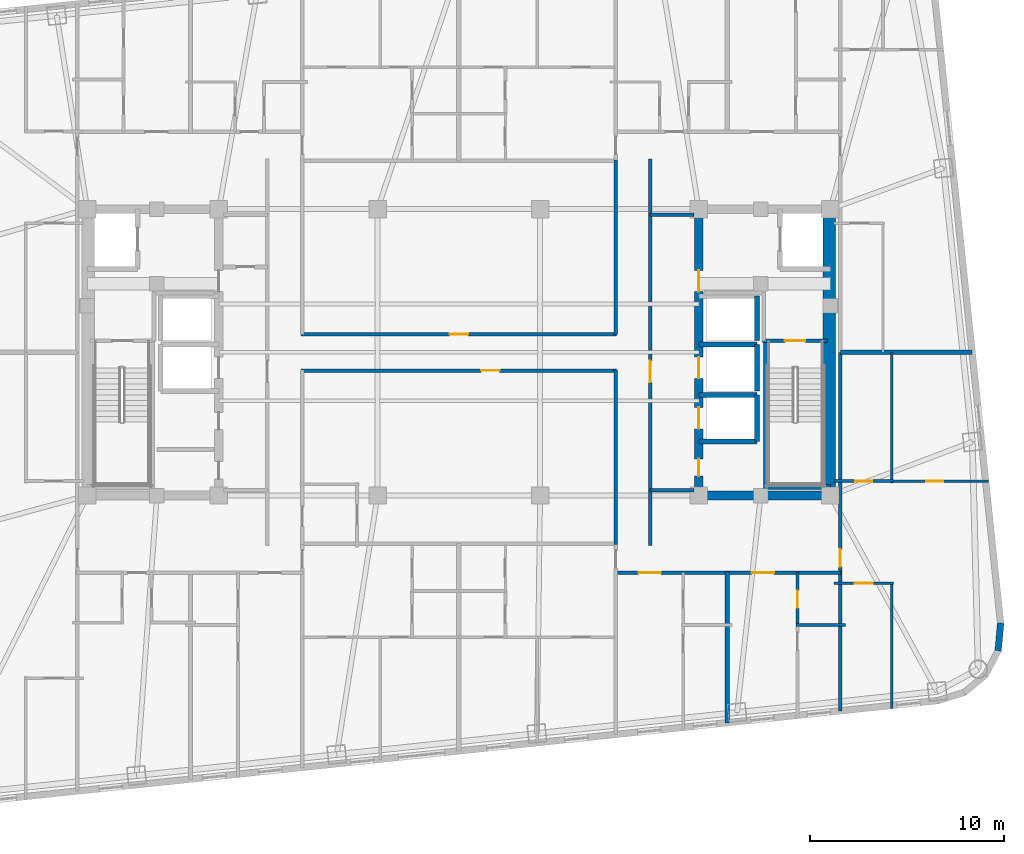
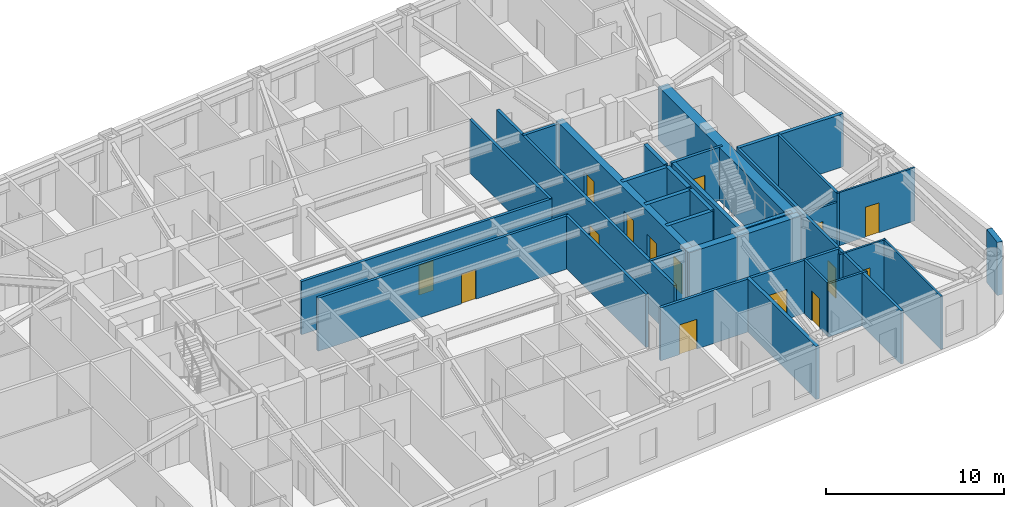
# One storey, part 6 of 12: 31 walls, 15 doors, 15 openings.
"""IFC4 building model written with IfcOpenShell, lengths in metres."""

from ifc_helpers import new_model, si_unit, direction, frame, frame_2d, origin, place, context, subcontext, project, spatial, rectangle, extrude, material, layer, layer_set, type_object, element, fill, save


model = new_model("IFC4")

# Units and contexts
model_context = context("Model", 3, precision=1e-05, world=origin(), true_north=direction((0.0, 1.0)))
body_context = subcontext(model_context, "Body", "Model", "MODEL_VIEW")
ifc_project = project(units=[si_unit("LENGTHUNIT", "METRE"), si_unit("AREAUNIT", "SQUARE_METRE"), si_unit("VOLUMEUNIT", "CUBIC_METRE"), si_unit("PLANEANGLEUNIT", "RADIAN"), si_unit("MASSUNIT", "GRAM", prefix="KILO")], contexts=[model_context])

# Site, building, storey
site_placement = place(None, origin())
site = spatial("IfcSite", under=ifc_project, at=site_placement, CompositionType="ELEMENT")
building_placement = place(site_placement, origin())
building = spatial("IfcBuilding", under=site, at=building_placement, Name="Voryun Gate Residences", CompositionType="ELEMENT")
storey_placement = place(building_placement, frame((0.0, 0.0, 152.10009765625)))
storey = spatial("IfcBuildingStorey", under=building, at=storey_placement, Name="L37", CompositionType="ELEMENT", Elevation=152.10009765625)

# Wall
ifc_material_1 = material(Name="Concrete C50/60", Category="concrete")
ifc_layer_1 = layer(ifc_material_1, 0.449951171875, Name="CW_CORE_450")
ifc_layer_set_1 = layer_set([ifc_layer_1], Name="Concrete C50/60")
wall_type_1 = type_object("IfcWallType", Name="CW_CORE_450", PredefinedType="SHEAR", material=ifc_layer_set_1)
wall_1_placement = place(storey_placement, frame((12.175048828125, -7.39990234375, 0.0), z_axis=(0.0, 0.0, 1.0), x_axis=(1.0, 0.0, 0.0)))
element("IfcWall", 1, at=wall_1_placement, inside=storey, type_object=wall_type_1, Name="L37 Core shear wall CW-L37-ES", PredefinedType="SHEAR", context=body_context, shape_type="SweptSolid", body=[
    extrude(rectangle(XDim=7.25, YDim=0.449951171875, at=frame_2d((3.625, 0.0))), origin(), (0.0, 0.0, 1.0), 3.64990234375),
])

# Wall, openings, doors
wall_2_placement = place(storey_placement, frame((12.39990234375, -7.39990234375, 0.0), z_axis=(0.0, 0.0, 1.0), x_axis=(0.0, 1.0, 0.0)))
wall_2 = element("IfcWall", 2, at=wall_2_placement, inside=storey, type_object=wall_type_1, Name="L37 Core shear wall CW-L37-EW", PredefinedType="SHEAR", context=body_context, shape_type="SweptSolid", body=[
    extrude(rectangle(XDim=14.7998046875, YDim=0.449951171875, at=frame_2d((7.39990234375, 0.0))), origin(), (0.0, 0.0, 1.0), 3.64990234375),
])
opening_1_placement = place(wall_2_placement, frame((3.449951171875, 0.0, 0.0)))
opening_1 = element("IfcOpeningElement", 3, at=opening_1_placement, cuts=wall_2, Name="Opening LD2", PredefinedType="OPENING", context=body_context, shape_type="SweptSolid", body=[
    extrude(rectangle(XDim=1.10009765625, YDim=2.050048828125, at=frame_2d((0.550048828125, 1.02490234375))), frame((0.0, 0.235107421875, 0.0), z_axis=(0.0, -1.0, 0.0), x_axis=(1.0, 0.0, 0.0)), (0.0, 0.0, 1.0), 0.469970703125),
])
opening_2_placement = place(wall_2_placement, frame((6.050048828125, 0.0, 0.0)))
opening_2 = element("IfcOpeningElement", 4, at=opening_2_placement, cuts=wall_2, Name="Opening LD2", PredefinedType="OPENING", context=body_context, shape_type="SweptSolid", body=[
    extrude(rectangle(XDim=1.10009765625, YDim=2.050048828125, at=frame_2d((0.550048828125, 1.02490234375))), frame((0.0, 0.235107421875, 0.0), z_axis=(0.0, -1.0, 0.0), x_axis=(1.0, 0.0, 0.0)), (0.0, 0.0, 1.0), 0.469970703125),
])
opening_3_placement = place(wall_2_placement, frame((10.530029296875, 0.0, 0.0)))
opening_3 = element("IfcOpeningElement", 5, at=opening_3_placement, cuts=wall_2, Name="Opening D-FD60-2", PredefinedType="OPENING", context=body_context, shape_type="SweptSolid", body=[
    extrude(rectangle(XDim=1.10009765625, YDim=2.050048828125, at=frame_2d((0.550048828125, 1.02490234375))), frame((0.0, 0.235107421875, 0.0), z_axis=(0.0, -1.0, 0.0), x_axis=(1.0, 0.0, 0.0)), (0.0, 0.0, 1.0), 0.469970703125),
])
opening_4_placement = place(wall_2_placement, frame((1.0, 0.0, 0.0)))
opening_4 = element("IfcOpeningElement", 6, at=opening_4_placement, cuts=wall_2, Name="Opening D-FD60-4", PredefinedType="OPENING", context=body_context, shape_type="SweptSolid", body=[
    extrude(rectangle(XDim=0.89990234375, YDim=2.050048828125, at=frame_2d((0.449951171875, 1.02490234375))), frame((0.0, 0.235107421875, 0.0), z_axis=(0.0, -1.0, 0.0), x_axis=(1.0, 0.0, 0.0)), (0.0, 0.0, 1.0), 0.469970703125),
])
ifc_material_2 = material(Name="Painted steel fire door", Category="steel")
door_type_1 = type_object("IfcDoorType", Name="DR_FD60_FFLOB_1100", OperationType="NOTDEFINED", PredefinedType="DOOR", material=ifc_material_2)
door_1_placement = place(opening_3_placement, origin())
door_1 = element("IfcDoor", 7, at=door_1_placement, inside=storey, type_object=door_type_1, Name="Door DR-L37-CLOB-E", OperationType="SINGLE_SWING_RIGHT", OverallHeight=2.050048828125, OverallWidth=1.10009765625, PredefinedType="DOOR", context=body_context, shape_type="SweptSolid", body=[
    extrude(rectangle(XDim=1.10009765625, YDim=2.050048828125, at=frame_2d((0.550048828125, 1.02490234375))), frame((0.0, 0.02490234375, 0.0), z_axis=(0.0, -1.0, 0.0), x_axis=(1.0, 0.0, 0.0)), (0.0, 0.0, 1.0), 0.050048828125),
])
fill(opening_3, door_1)
ifc_material_3 = material(Name="Painted steel fire door", Category="steel")
door_type_2 = type_object("IfcDoorType", Name="DR_FD60_RISER_900", OperationType="NOTDEFINED", PredefinedType="DOOR", material=ifc_material_3)
door_2_placement = place(opening_4_placement, origin())
door_2 = element("IfcDoor", 8, at=door_2_placement, inside=storey, type_object=door_type_2, Name="Door DR-L37-RECE1", OperationType="SINGLE_SWING_RIGHT", OverallHeight=2.050048828125, OverallWidth=0.89990234375, PredefinedType="DOOR", context=body_context, shape_type="SweptSolid", body=[
    extrude(rectangle(XDim=0.89990234375, YDim=2.050048828125, at=frame_2d((0.449951171875, 1.02490234375))), frame((0.0, 0.02490234375, 0.0), z_axis=(0.0, -1.0, 0.0), x_axis=(1.0, 0.0, 0.0)), (0.0, 0.0, 1.0), 0.050048828125),
])
fill(opening_4, door_2)
ifc_material_4 = material(Name="Anodised aluminium", Category="aluminium")
door_type_3 = type_object("IfcDoorType", Name="DR_LD_PASS_1100", OperationType="NOTDEFINED", PredefinedType="DOOR", material=ifc_material_4)
door_3_placement = place(opening_1_placement, origin())
door_3 = element("IfcDoor", 9, at=door_3_placement, inside=storey, type_object=door_type_3, Name="Lift EL-P5 sliding landing door L37", OperationType="SLIDING_TO_LEFT", OverallHeight=2.050048828125, OverallWidth=1.10009765625, PredefinedType="DOOR", context=body_context, shape_type="SweptSolid", body=[
    extrude(rectangle(XDim=1.10009765625, YDim=2.050048828125, at=frame_2d((0.550048828125, 1.02490234375))), frame((0.0, 0.02490234375, 0.0), z_axis=(0.0, -1.0, 0.0), x_axis=(1.0, 0.0, 0.0)), (0.0, 0.0, 1.0), 0.050048828125),
])
fill(opening_1, door_3)
door_4_placement = place(opening_2_placement, origin())
door_4 = element("IfcDoor", 10, at=door_4_placement, inside=storey, type_object=door_type_3, Name="Lift EL-P6 sliding landing door L37", OperationType="SLIDING_TO_LEFT", OverallHeight=2.050048828125, OverallWidth=1.10009765625, PredefinedType="DOOR", context=body_context, shape_type="SweptSolid", body=[
    extrude(rectangle(XDim=1.10009765625, YDim=2.050048828125, at=frame_2d((0.550048828125, 1.02490234375))), frame((0.0, 0.02490234375, 0.0), z_axis=(0.0, -1.0, 0.0), x_axis=(1.0, 0.0, 0.0)), (0.0, 0.0, 1.0), 0.050048828125),
])
fill(opening_2, door_4)

# Wall
ifc_material_5 = material(Name="Concrete C60/75", Category="concrete")
ifc_layer_2 = layer(ifc_material_5, 0.64990234375, Name="CW_CORE_650")
ifc_layer_set_2 = layer_set([ifc_layer_2], Name="Concrete C60/75")
wall_type_2 = type_object("IfcWallType", Name="CW_CORE_650", PredefinedType="SHEAR", material=ifc_layer_set_2)
wall_3_placement = place(storey_placement, frame((19.14501953125, -7.39990234375, 0.0), z_axis=(0.0, 0.0, 1.0), x_axis=(0.0, 1.0, 0.0)))
element("IfcWall", 11, at=wall_3_placement, inside=storey, type_object=wall_type_2, Name="L37 Core shear wall CW-L37-EE", PredefinedType="SHEAR", context=body_context, shape_type="SweptSolid", body=[
    extrude(rectangle(XDim=14.7998046875, YDim=0.64990234375, at=frame_2d((7.39990234375, 0.0))), origin(), (0.0, 0.0, 1.0), 3.64990234375),
])

# Wall, opening, door
ifc_material_6 = material(Name="Gypsum acoustic fireboard")
ifc_layer_3 = layer(ifc_material_6, 0.179931640625, Name="W_CORR_RATED_180")
ifc_layer_set_3 = layer_set([ifc_layer_3], Name="Gypsum acoustic fireboard")
wall_type_3 = type_object("IfcWallType", Name="W_CORR_RATED_180", PredefinedType="PARTITIONING", material=ifc_layer_set_3)
wall_4_placement = place(storey_placement, frame((15.699951171875, 0.60009765625, 0.0), z_axis=(0.0, 0.0, 1.0), x_axis=(1.0, 0.0, 0.0)))
wall_4 = element("IfcWall", 12, at=wall_4_placement, inside=storey, type_object=wall_type_3, Name="Partition wall WP-L37-STV-E", PredefinedType="PARTITIONING", context=body_context, shape_type="SweptSolid", body=[
    extrude(rectangle(XDim=3.360107421875, YDim=0.179931640625, at=frame_2d((1.68017578125, 0.0))), origin(), (0.0, 0.0, 1.0), 3.64990234375),
])
opening_5_placement = place(wall_4_placement, frame((1.155029296875, 0.0, 0.0)))
opening_5 = element("IfcOpeningElement", 13, at=opening_5_placement, cuts=wall_4, Name="Opening D-FD60-1", PredefinedType="OPENING", context=body_context, shape_type="SweptSolid", body=[
    extrude(rectangle(XDim=1.050048828125, YDim=2.050048828125, at=frame_2d((0.52490234375, 1.02490234375))), frame((0.0, 0.099853515625, 0.0), z_axis=(0.0, -1.0, 0.0), x_axis=(1.0, 0.0, 0.0)), (0.0, 0.0, 1.0), 0.199951171875),
])
ifc_material_7 = material(Name="Painted steel fire door", Category="steel")
door_type_4 = type_object("IfcDoorType", Name="DR_FD60_STAIR_1050", OperationType="NOTDEFINED", PredefinedType="DOOR", material=ifc_material_7)
door_5_placement = place(opening_5_placement, origin())
door_5 = element("IfcDoor", 14, at=door_5_placement, inside=storey, type_object=door_type_4, Name="Door DR-L37-ST-E", OperationType="SINGLE_SWING_RIGHT", OverallHeight=2.050048828125, OverallWidth=1.050048828125, PredefinedType="DOOR", context=body_context, shape_type="SweptSolid", body=[
    extrude(rectangle(XDim=1.050048828125, YDim=2.050048828125, at=frame_2d((0.52490234375, 1.02490234375))), frame((0.0, 0.02490234375, 0.0), z_axis=(0.0, -1.0, 0.0), x_axis=(1.0, 0.0, 0.0)), (0.0, 0.0, 1.0), 0.050048828125),
])
fill(opening_5, door_5)

# Walls
for number, where, z_axis, x_axis, name in (
    (15, (9.8798828125, 7.1201171875, 0.0), (0.0, 0.0, 1.0), (1.0, 0.0, 0.0), "Partition wall WP-L37-PLBN-E"),
    (16, (9.8798828125, -7.1201171875, 0.0), (0.0, 0.0, 1.0), (1.0, 0.0, 0.0), "Partition wall WP-L37-PLBS-E"),
):
    element("IfcWall", number, at=place(storey_placement, frame(where, z_axis=z_axis, x_axis=x_axis)), inside=storey, type_object=wall_type_3, Name=name, PredefinedType="PARTITIONING", context=body_context, shape_type="SweptSolid", body=[
        extrude(rectangle(XDim=2.27001953125, YDim=0.179931640625, at=frame_2d((1.135009765625, 0.0))), origin(), (0.0, 0.0, 1.0), 3.64990234375),
    ])

# Wall, opening, door
wall_5_placement = place(storey_placement, frame((9.89990234375, -9.97998046875, 0.0), z_axis=(0.0, 0.0, 1.0), x_axis=(0.0, 1.0, 0.0)))
wall_5 = element("IfcWall", 17, at=wall_5_placement, inside=storey, type_object=wall_type_3, Name="Partition wall WP-L37-PLBE-FULL", PredefinedType="PARTITIONING", context=body_context, shape_type="SweptSolid", body=[
    extrude(rectangle(XDim=19.9599609375, YDim=0.179931640625, at=frame_2d((9.97998046875, 0.0))), origin(), (0.0, 0.0, 1.0), 3.64990234375),
])
opening_6_placement = place(wall_5_placement, frame((8.431884765625, 0.0, 0.0)))
opening_6 = element("IfcOpeningElement", 18, at=opening_6_placement, cuts=wall_5, Name="Opening D-FD60-2", PredefinedType="OPENING", context=body_context, shape_type="SweptSolid", body=[
    extrude(rectangle(XDim=1.10009765625, YDim=2.050048828125, at=frame_2d((0.550048828125, 1.02490234375))), frame((0.0, 0.099853515625, 0.0), z_axis=(0.0, -1.0, 0.0), x_axis=(1.0, 0.0, 0.0)), (0.0, 0.0, 1.0), 0.199951171875),
])
door_6_placement = place(opening_6_placement, origin())
door_6 = element("IfcDoor", 19, at=door_6_placement, inside=storey, type_object=door_type_1, Name="Door DR-L37-PLBE-COR", OperationType="SINGLE_SWING_RIGHT", OverallHeight=2.050048828125, OverallWidth=1.10009765625, PredefinedType="DOOR", context=body_context, shape_type="SweptSolid", body=[
    extrude(rectangle(XDim=1.10009765625, YDim=2.050048828125, at=frame_2d((0.550048828125, 1.02490234375))), frame((0.0, 0.02490234375, 0.0), z_axis=(0.0, -1.0, 0.0), x_axis=(1.0, 0.0, 0.0)), (0.0, 0.0, 1.0), 0.050048828125),
])
fill(opening_6, door_6)

wall_6_placement = place(storey_placement, frame((-8.14990234375, 0.93994140625, 0.0), z_axis=(0.0, 0.0, 1.0), x_axis=(1.0, 0.0, 0.0)))
wall_6 = element("IfcWall", 20, at=wall_6_placement, inside=storey, type_object=wall_type_3, Name="Partition wall WP-L37-Z2HN", PredefinedType="PARTITIONING", context=body_context, shape_type="SweptSolid", body=[
    extrude(rectangle(XDim=16.2998046875, YDim=0.179931640625, at=frame_2d((8.14990234375, 0.0))), origin(), (0.0, 0.0, 1.0), 3.64990234375),
])
opening_7_placement = place(wall_6_placement, frame((7.675048828125, 0.0, 0.0)))
opening_7 = element("IfcOpeningElement", 21, at=opening_7_placement, cuts=wall_6, Name="Opening D-INT-1", PredefinedType="OPENING", context=body_context, shape_type="SweptSolid", body=[
    extrude(rectangle(XDim=0.949951171875, YDim=2.050048828125, at=frame_2d((0.47509765625, 1.02490234375))), frame((0.0, 0.099853515625, 0.0), z_axis=(0.0, -1.0, 0.0), x_axis=(1.0, 0.0, 0.0)), (0.0, 0.0, 1.0), 0.199951171875),
])
ifc_material_8 = material(Name="Architectural oak veneer")
door_type_5 = type_object("IfcDoorType", Name="DR_INT_ROOM_950", OperationType="NOTDEFINED", PredefinedType="DOOR", material=ifc_material_8)
door_7_placement = place(opening_7_placement, origin())
door_7 = element("IfcDoor", 22, at=door_7_placement, inside=storey, type_object=door_type_5, Name="Door DR-L37-Z2NH", OperationType="SINGLE_SWING_LEFT", OverallHeight=2.050048828125, OverallWidth=0.949951171875, PredefinedType="DOOR", context=body_context, shape_type="SweptSolid", body=[
    extrude(rectangle(XDim=0.949951171875, YDim=2.050048828125, at=frame_2d((0.47509765625, 1.02490234375))), frame((0.0, 0.02490234375, 0.0), z_axis=(0.0, -1.0, 0.0), x_axis=(1.0, 0.0, 0.0)), (0.0, 0.0, 1.0), 0.050048828125),
])
fill(opening_7, door_7)

wall_7_placement = place(storey_placement, frame((-8.14990234375, -0.93994140625, 0.0), z_axis=(0.0, 0.0, 1.0), x_axis=(1.0, 0.0, 0.0)))
wall_7 = element("IfcWall", 23, at=wall_7_placement, inside=storey, type_object=wall_type_3, Name="Partition wall WP-L37-Z2HS", PredefinedType="PARTITIONING", context=body_context, shape_type="SweptSolid", body=[
    extrude(rectangle(XDim=16.2998046875, YDim=0.179931640625, at=frame_2d((8.14990234375, 0.0))), origin(), (0.0, 0.0, 1.0), 3.64990234375),
])
opening_8_placement = place(wall_7_placement, frame((9.304931640625, 0.0, 0.0)))
opening_8 = element("IfcOpeningElement", 24, at=opening_8_placement, cuts=wall_7, Name="Opening D-INT-1", PredefinedType="OPENING", context=body_context, shape_type="SweptSolid", body=[
    extrude(rectangle(XDim=0.949951171875, YDim=2.050048828125, at=frame_2d((0.47509765625, 1.02490234375))), frame((0.0, 0.099853515625, 0.0), z_axis=(0.0, -1.0, 0.0), x_axis=(1.0, 0.0, 0.0)), (0.0, 0.0, 1.0), 0.199951171875),
])
door_8_placement = place(opening_8_placement, origin())
door_8 = element("IfcDoor", 25, at=door_8_placement, inside=storey, type_object=door_type_5, Name="Door DR-L37-Z2SH", OperationType="SINGLE_SWING_RIGHT", OverallHeight=2.050048828125, OverallWidth=0.949951171875, PredefinedType="DOOR", context=body_context, shape_type="SweptSolid", body=[
    extrude(rectangle(XDim=0.949951171875, YDim=2.050048828125, at=frame_2d((0.47509765625, 1.02490234375))), frame((0.0, 0.02490234375, 0.0), z_axis=(0.0, -1.0, 0.0), x_axis=(1.0, 0.0, 0.0)), (0.0, 0.0, 1.0), 0.050048828125),
])
fill(opening_8, door_8)

# Walls
for number, where, z_axis, x_axis, name in (
    (26, (8.10009765625, 0.919921875, 0.0), (0.0, 0.0, 1.0), (0.0, 1.0, 0.0), "Partition wall WP-L37-Z2ER1"),
    (27, (8.10009765625, -9.929931640625, 0.0), (0.0, 0.0, 1.0), (0.0, 1.0, 0.0), "Partition wall WP-L37-Z2ER2"),
):
    element("IfcWall", number, at=place(storey_placement, frame(where, z_axis=z_axis, x_axis=x_axis)), inside=storey, type_object=wall_type_3, Name=name, PredefinedType="PARTITIONING", context=body_context, shape_type="SweptSolid", body=[
        extrude(rectangle(XDim=9.010009765625, YDim=0.179931640625, at=frame_2d((4.5048828125, 0.0))), origin(), (0.0, 0.0, 1.0), 3.64990234375),
    ])

# Wall, openings, doors
wall_8_placement = place(storey_placement, frame((8.080078125, -11.39990234375, 0.0), z_axis=(0.0, 0.0, 1.0), x_axis=(1.0, 0.0, 0.0)))
wall_8 = element("IfcWall", 28, at=wall_8_placement, inside=storey, type_object=wall_type_3, Name="Partition wall WP-L37-SCORR-E", PredefinedType="PARTITIONING", context=body_context, shape_type="SweptSolid", body=[
    extrude(rectangle(XDim=11.669921875, YDim=0.179931640625, at=frame_2d((5.8349609375, 0.0))), origin(), (0.0, 0.0, 1.0), 3.64990234375),
])
opening_9_placement = place(wall_8_placement, frame((1.212890625, 0.0, 0.0)))
opening_9 = element("IfcOpeningElement", 29, at=opening_9_placement, cuts=wall_8, Name="Opening D-UNIT-1", PredefinedType="OPENING", context=body_context, shape_type="SweptSolid", body=[
    extrude(rectangle(XDim=1.14990234375, YDim=2.050048828125, at=frame_2d((0.574951171875, 1.02490234375))), frame((0.0, 0.099853515625, 0.0), z_axis=(0.0, -1.0, 0.0), x_axis=(1.0, 0.0, 0.0)), (0.0, 0.0, 1.0), 0.199951171875),
])
opening_10_placement = place(wall_8_placement, frame((7.05712890625, 0.0, 0.0)))
opening_10 = element("IfcOpeningElement", 30, at=opening_10_placement, cuts=wall_8, Name="Opening D-UNIT-1", PredefinedType="OPENING", context=body_context, shape_type="SweptSolid", body=[
    extrude(rectangle(XDim=1.14990234375, YDim=2.050048828125, at=frame_2d((0.574951171875, 1.02490234375))), frame((0.0, 0.099853515625, 0.0), z_axis=(0.0, -1.0, 0.0), x_axis=(1.0, 0.0, 0.0)), (0.0, 0.0, 1.0), 0.199951171875),
])
ifc_material_9 = material(Name="Armoured timber-clad fire door", Category="wood")
door_type_6 = type_object("IfcDoorType", Name="DR_UNIT_ENTRY_1150", OperationType="NOTDEFINED", PredefinedType="DOOR", material=ifc_material_9)
door_9_placement = place(opening_9_placement, origin())
door_9 = element("IfcDoor", 31, at=door_9_placement, inside=storey, type_object=door_type_6, Name="Door DR-L37-SENT-4", OperationType="SINGLE_SWING_LEFT", OverallHeight=2.050048828125, OverallWidth=1.14990234375, PredefinedType="DOOR", context=body_context, shape_type="SweptSolid", body=[
    extrude(rectangle(XDim=1.14990234375, YDim=2.050048828125, at=frame_2d((0.574951171875, 1.02490234375))), frame((0.0, 0.02490234375, 0.0), z_axis=(0.0, -1.0, 0.0), x_axis=(1.0, 0.0, 0.0)), (0.0, 0.0, 1.0), 0.050048828125),
])
fill(opening_9, door_9)
door_10_placement = place(opening_10_placement, origin())
door_10 = element("IfcDoor", 32, at=door_10_placement, inside=storey, type_object=door_type_6, Name="Door DR-L37-SENT-5", OperationType="SINGLE_SWING_RIGHT", OverallHeight=2.050048828125, OverallWidth=1.14990234375, PredefinedType="DOOR", context=body_context, shape_type="SweptSolid", body=[
    extrude(rectangle(XDim=1.14990234375, YDim=2.050048828125, at=frame_2d((0.574951171875, 1.02490234375))), frame((0.0, 0.02490234375, 0.0), z_axis=(0.0, -1.0, 0.0), x_axis=(1.0, 0.0, 0.0)), (0.0, 0.0, 1.0), 0.050048828125),
])
fill(opening_10, door_10)

# Wall, opening, door
wall_9_placement = place(storey_placement, frame((19.719970703125, -18.532470703125, 0.0), z_axis=(0.0, 0.0, 1.0), x_axis=(0.0, 1.0, 0.0)))
wall_9 = element("IfcWall", 33, at=wall_9_placement, inside=storey, type_object=wall_type_3, Name="Partition wall WP-L37-ECOR1", PredefinedType="PARTITIONING", context=body_context, shape_type="SweptSolid", body=[
    extrude(rectangle(XDim=18.532470703125, YDim=0.179931640625, at=frame_2d((9.26611328125, 0.0))), origin(), (0.0, 0.0, 1.0), 3.64990234375),
])
opening_11_placement = place(wall_9_placement, frame((7.4521484375, 0.0, 0.0)))
opening_11 = element("IfcOpeningElement", 34, at=opening_11_placement, cuts=wall_9, Name="Opening D-INT-2", PredefinedType="OPENING", context=body_context, shape_type="SweptSolid", body=[
    extrude(rectangle(XDim=0.89990234375, YDim=2.050048828125, at=frame_2d((0.449951171875, 1.02490234375))), frame((0.0, 0.099853515625, 0.0), z_axis=(0.0, -1.0, 0.0), x_axis=(1.0, 0.0, 0.0)), (0.0, 0.0, 1.0), 0.199951171875),
])
ifc_material_10 = material(Name="Architectural oak veneer")
door_type_7 = type_object("IfcDoorType", Name="DR_INT_BATH_900", OperationType="NOTDEFINED", PredefinedType="DOOR", material=ifc_material_10)
door_11_placement = place(opening_11_placement, origin())
door_11 = element("IfcDoor", 35, at=door_11_placement, inside=storey, type_object=door_type_7, Name="Door DR-L37-EE1", OperationType="SINGLE_SWING_LEFT", OverallHeight=2.050048828125, OverallWidth=0.89990234375, PredefinedType="DOOR", context=body_context, shape_type="SweptSolid", body=[
    extrude(rectangle(XDim=0.89990234375, YDim=2.050048828125, at=frame_2d((0.449951171875, 1.02490234375))), frame((0.0, 0.02490234375, 0.0), z_axis=(0.0, -1.0, 0.0), x_axis=(1.0, 0.0, 0.0)), (0.0, 0.0, 1.0), 0.050048828125),
])
fill(opening_11, door_11)

# Walls
ifc_material_11 = material(Name="Charcoal terracotta masonry", Category="masonry")
ifc_layer_4 = layer(ifc_material_11, 0.340087890625, Name="W_EXT_TERRACOTTA_340")
ifc_layer_set_4 = layer_set([ifc_layer_4], Name="Charcoal terracotta masonry")
wall_type_4 = type_object("IfcWallType", Name="W_EXT_TERRACOTTA_340", PredefinedType="ELEMENTEDWALL", material=ifc_layer_set_4)
wall_10_placement = place(storey_placement, frame((28.001220703125, -13.9951171875, 0.0), z_axis=(0.0, 0.0, 1.0), x_axis=(-0.091534682358, -0.995801888894, 0.0)))
element("IfcWall", 36, at=wall_10_placement, inside=storey, type_object=wall_type_4, Name="Exterior wall WEXT-L37-17", PredefinedType="ELEMENTEDWALL", context=body_context, shape_type="SweptSolid", body=[
    extrude(rectangle(XDim=1.432373046875, YDim=0.340087890625, at=frame_2d((0.71630859375, 0.0))), origin(), (0.0, 0.0, 1.0), 3.64990234375),
])
ifc_material_12 = material(Name="Concrete C40/50", Category="concrete")
ifc_layer_5 = layer(ifc_material_12, 0.219970703125, Name="W_PARTY_ACOUSTIC_220")
ifc_layer_set_5 = layer_set([ifc_layer_5], Name="Concrete C40/50")
wall_type_5 = type_object("IfcWallType", Name="W_PARTY_ACOUSTIC_220", PredefinedType="PARTITIONING", material=ifc_layer_set_5)
wall_11_placement = place(storey_placement, frame((13.864990234375, -19.147705078125, 0.0), z_axis=(0.0, 0.0, 1.0), x_axis=(0.0, 1.0, 0.0)))
element("IfcWall", 37, at=wall_11_placement, inside=storey, type_object=wall_type_5, Name="Partition wall WP-L37-SPTY-4", PredefinedType="PARTITIONING", context=body_context, shape_type="SweptSolid", body=[
    extrude(rectangle(XDim=7.82763671875, YDim=0.219970703125, at=frame_2d((3.913818359375, 0.0))), origin(), (0.0, 0.0, 1.0), 3.64990234375),
])
wall_12_placement = place(storey_placement, frame((19.719970703125, 0.0, 0.0), z_axis=(0.0, 0.0, 1.0), x_axis=(1.0, 0.0, 0.0)))
element("IfcWall", 38, at=wall_12_placement, inside=storey, type_object=wall_type_5, Name="Partition wall WP-L37-EPTY", PredefinedType="PARTITIONING", context=body_context, shape_type="SweptSolid", body=[
    extrude(rectangle(XDim=6.81005859375, YDim=0.219970703125, at=frame_2d((3.405029296875, 0.0))), origin(), (0.0, 0.0, 1.0), 3.64990234375),
])
ifc_material_13 = material(Name="Concrete C50/60", Category="concrete")
ifc_layer_6 = layer(ifc_material_13, 0.25, Name="W_SHAFT_RC250")
ifc_layer_set_6 = layer_set([ifc_layer_6], Name="Concrete C50/60")
wall_type_6 = type_object("IfcWallType", Name="W_SHAFT_RC250", PredefinedType="SOLIDWALL", material=ifc_layer_set_6)
wall_13_placement = place(storey_placement, frame((15.860107421875, -7.0849609375, 0.0), z_axis=(0.0, 0.0, 1.0), x_axis=(0.0, 1.0, 0.0)))
element("IfcWall", 39, at=wall_13_placement, inside=storey, type_object=wall_type_6, Name="L37 Stair shaft structural wall E-STL", PredefinedType="SOLIDWALL", context=body_context, shape_type="SweptSolid", body=[
    extrude(rectangle(XDim=7.68505859375, YDim=0.25, at=frame_2d((3.842529296875, 0.0))), origin(), (0.0, 0.0, 1.0), 3.64990234375),
])
wall_14_placement = place(storey_placement, frame((15.739990234375, -6.965087890625, 0.0), z_axis=(0.0, 0.0, 1.0), x_axis=(1.0, 0.0, 0.0)))
element("IfcWall", 40, at=wall_14_placement, inside=storey, type_object=wall_type_6, Name="L37 Stair shaft structural wall E-STS", PredefinedType="SOLIDWALL", context=body_context, shape_type="SweptSolid", body=[
    extrude(rectangle(XDim=3.4599609375, YDim=0.25, at=frame_2d((1.72998046875, 0.0))), origin(), (0.0, 0.0, 1.0), 3.64990234375),
])
wall_15_placement = place(storey_placement, frame((12.39990234375, -4.60009765625, 0.0), z_axis=(0.0, 0.0, 1.0), x_axis=(1.0, 0.0, 0.0)))
element("IfcWall", 41, at=wall_15_placement, inside=storey, type_object=wall_type_6, Name="Lift shaft wall WSH-L37-EL-P5-S", PredefinedType="SOLIDWALL", context=body_context, shape_type="SweptSolid", body=[
    extrude(rectangle(XDim=3.0, YDim=0.25, at=frame_2d((1.5, 0.0))), origin(), (0.0, 0.0, 1.0), 3.64990234375),
])
wall_16_placement = place(storey_placement, frame((15.39990234375, -4.60009765625, 0.0), z_axis=(0.0, 0.0, 1.0), x_axis=(0.0, 1.0, 0.0)))
element("IfcWall", 42, at=wall_16_placement, inside=storey, type_object=wall_type_6, Name="Lift shaft wall WSH-L37-EL-P5-E", PredefinedType="SOLIDWALL", context=body_context, shape_type="SweptSolid", body=[
    extrude(rectangle(XDim=2.400146484375, YDim=0.25, at=frame_2d((1.2001953125, 0.0))), origin(), (0.0, 0.0, 1.0), 3.64990234375),
])
wall_17_placement = place(storey_placement, frame((15.39990234375, -2.199951171875, 0.0), z_axis=(0.0, 0.0, 1.0), x_axis=(-1.0, 0.0, 0.0)))
element("IfcWall", 43, at=wall_17_placement, inside=storey, type_object=wall_type_6, Name="Lift shaft wall WSH-L37-EL-P5-N", PredefinedType="SOLIDWALL", context=body_context, shape_type="SweptSolid", body=[
    extrude(rectangle(XDim=3.0, YDim=0.25, at=frame_2d((1.5, 0.0))), origin(), (0.0, 0.0, 1.0), 3.64990234375),
])
wall_18_placement = place(storey_placement, frame((15.39990234375, -2.0, 0.0), z_axis=(0.0, 0.0, 1.0), x_axis=(0.0, 1.0, 0.0)))
element("IfcWall", 44, at=wall_18_placement, inside=storey, type_object=wall_type_6, Name="Lift shaft wall WSH-L37-EL-P6-E", PredefinedType="SOLIDWALL", context=body_context, shape_type="SweptSolid", body=[
    extrude(rectangle(XDim=2.39990234375, YDim=0.25, at=frame_2d((1.199951171875, 0.0))), origin(), (0.0, 0.0, 1.0), 3.64990234375),
])
wall_19_placement = place(storey_placement, frame((15.39990234375, 0.39990234375, 0.0), z_axis=(0.0, 0.0, 1.0), x_axis=(-1.0, 0.0, 0.0)))
element("IfcWall", 45, at=wall_19_placement, inside=storey, type_object=wall_type_6, Name="Lift shaft wall WSH-L37-EL-P6-N", PredefinedType="SOLIDWALL", context=body_context, shape_type="SweptSolid", body=[
    extrude(rectangle(XDim=3.0, YDim=0.25, at=frame_2d((1.5, 0.0))), origin(), (0.0, 0.0, 1.0), 3.64990234375),
])
wall_20_placement = place(storey_placement, frame((15.39990234375, 0.60009765625, 0.0), z_axis=(0.0, 0.0, 1.0), x_axis=(0.0, 1.0, 0.0)))
element("IfcWall", 46, at=wall_20_placement, inside=storey, type_object=wall_type_6, Name="Lift shaft wall WSH-L37-EL-P8-E", PredefinedType="SOLIDWALL", context=body_context, shape_type="SweptSolid", body=[
    extrude(rectangle(XDim=2.2998046875, YDim=0.25, at=frame_2d((1.14990234375, 0.0))), origin(), (0.0, 0.0, 1.0), 3.64990234375),
])

# Wall, opening, door
ifc_material_14 = material(Name="Gypsum acoustic partition")
ifc_layer_7 = layer(ifc_material_14, 0.125, Name="W_UNIT_PART_125")
ifc_layer_set_7 = layer_set([ifc_layer_7], Name="Gypsum acoustic partition")
wall_type_7 = type_object("IfcWallType", Name="W_UNIT_PART_125", PredefinedType="PARTITIONING", material=ifc_layer_set_7)
wall_21_placement = place(storey_placement, frame((22.31005859375, -6.659912109375, 0.0), z_axis=(0.0, 0.0, 1.0), x_axis=(1.0, 0.0, 0.0)))
wall_21 = element("IfcWall", 47, at=wall_21_placement, inside=storey, type_object=wall_type_7, Name="Partition wall WP-L37-E1-OHZ", PredefinedType="PARTITIONING", context=body_context, shape_type="SweptSolid", body=[
    extrude(rectangle(XDim=5.071044921875, YDim=0.125, at=frame_2d((2.53564453125, 0.0))), origin(), (0.0, 0.0, 1.0), 3.64990234375),
])
opening_12_placement = place(wall_21_placement, frame((1.83203125, 0.0, 0.0)))
opening_12 = element("IfcOpeningElement", 48, at=opening_12_placement, cuts=wall_21, Name="Opening D-INT-2", PredefinedType="OPENING", context=body_context, shape_type="SweptSolid", body=[
    extrude(rectangle(XDim=0.89990234375, YDim=2.050048828125, at=frame_2d((0.449951171875, 1.02490234375))), frame((0.0, 0.072509765625, 0.0), z_axis=(0.0, -1.0, 0.0), x_axis=(1.0, 0.0, 0.0)), (0.0, 0.0, 1.0), 0.14501953125),
])
door_12_placement = place(opening_12_placement, origin())
door_12 = element("IfcDoor", 49, at=door_12_placement, inside=storey, type_object=door_type_7, Name="Door DR-L37-E1-DMB", OperationType="SINGLE_SWING_LEFT", OverallHeight=2.050048828125, OverallWidth=0.89990234375, PredefinedType="DOOR", context=body_context, shape_type="SweptSolid", body=[
    extrude(rectangle(XDim=0.89990234375, YDim=2.050048828125, at=frame_2d((0.449951171875, 1.02490234375))), frame((0.0, 0.02490234375, 0.0), z_axis=(0.0, -1.0, 0.0), x_axis=(1.0, 0.0, 0.0)), (0.0, 0.0, 1.0), 0.050048828125),
])
fill(opening_12, door_12)

wall_22_placement = place(storey_placement, frame((19.39990234375, -11.93896484375, 0.0), z_axis=(0.0, 0.0, 1.0), x_axis=(1.0, 0.0, 0.0)))
wall_22 = element("IfcWall", 50, at=wall_22_placement, inside=storey, type_object=wall_type_7, Name="Partition wall WP-L37-E1-IKA", PredefinedType="PARTITIONING", context=body_context, shape_type="SweptSolid", body=[
    extrude(rectangle(XDim=3.050048828125, YDim=0.125, at=frame_2d((1.52490234375, 0.0))), origin(), (0.0, 0.0, 1.0), 3.64990234375),
])
opening_13_placement = place(wall_22_placement, frame((1.050048828125, 0.0, 0.0)))
opening_13 = element("IfcOpeningElement", 51, at=opening_13_placement, cuts=wall_22, Name="Opening D-INT-1", PredefinedType="OPENING", context=body_context, shape_type="SweptSolid", body=[
    extrude(rectangle(XDim=0.949951171875, YDim=2.050048828125, at=frame_2d((0.47509765625, 1.02490234375))), frame((0.0, 0.072509765625, 0.0), z_axis=(0.0, -1.0, 0.0), x_axis=(1.0, 0.0, 0.0)), (0.0, 0.0, 1.0), 0.14501953125),
])
door_13_placement = place(opening_13_placement, origin())
door_13 = element("IfcDoor", 52, at=door_13_placement, inside=storey, type_object=door_type_5, Name="Door DR-L37-E1-DK", OperationType="SINGLE_SWING_LEFT", OverallHeight=2.050048828125, OverallWidth=0.949951171875, PredefinedType="DOOR", context=body_context, shape_type="SweptSolid", body=[
    extrude(rectangle(XDim=0.949951171875, YDim=2.050048828125, at=frame_2d((0.47509765625, 1.02490234375))), frame((0.0, 0.02490234375, 0.0), z_axis=(0.0, -1.0, 0.0), x_axis=(1.0, 0.0, 0.0)), (0.0, 0.0, 1.0), 0.050048828125),
])
fill(opening_13, door_13)

# Walls
wall_23_placement = place(storey_placement, frame((22.3701171875, -18.40478515625, 0.0), z_axis=(0.0, 0.0, 1.0), x_axis=(0.0, 1.0, 0.0)))
element("IfcWall", 53, at=wall_23_placement, inside=storey, type_object=wall_type_7, Name="Partition wall WP-L37-E1-VTA", PredefinedType="PARTITIONING", context=body_context, shape_type="SweptSolid", body=[
    extrude(rectangle(XDim=6.5458984375, YDim=0.125, at=frame_2d((3.27294921875, 0.0))), origin(), (0.0, 0.0, 1.0), 3.64990234375),
])
ifc_material_15 = material(Name="Gypsum moisture-resistant partition")
ifc_layer_8 = layer(ifc_material_15, 0.14990234375, Name="W_WET_PLUMB_150")
ifc_layer_set_8 = layer_set([ifc_layer_8], Name="Gypsum moisture-resistant partition")
wall_type_8 = type_object("IfcWallType", Name="W_WET_PLUMB_150", PredefinedType="PLUMBINGWALL", material=ifc_layer_set_8)
wall_24_placement = place(storey_placement, frame((17.419921875, -14.10009765625, 0.0), z_axis=(0.0, 0.0, 1.0), x_axis=(1.0, 0.0, 0.0)))
element("IfcWall", 54, at=wall_24_placement, inside=storey, type_object=wall_type_8, Name="Partition wall WP-L37-S5-SKB", PredefinedType="PLUMBINGWALL", context=body_context, shape_type="SweptSolid", body=[
    extrude(rectangle(XDim=2.550048828125, YDim=0.14990234375, at=frame_2d((1.27490234375, 0.0))), origin(), (0.0, 0.0, 1.0), 3.64990234375),
])

# Wall, opening, door
wall_25_placement = place(storey_placement, frame((17.5, -14.139892578125, 0.0), z_axis=(0.0, 0.0, 1.0), x_axis=(0.0, 1.0, 0.0)))
wall_25 = element("IfcWall", 55, at=wall_25_placement, inside=storey, type_object=wall_type_8, Name="Partition wall WP-L37-S5-SVT2", PredefinedType="PLUMBINGWALL", context=body_context, shape_type="SweptSolid", body=[
    extrude(rectangle(XDim=2.760009765625, YDim=0.14990234375, at=frame_2d((1.3798828125, 0.0))), origin(), (0.0, 0.0, 1.0), 3.64990234375),
])
opening_14_placement = place(wall_25_placement, frame((0.929931640625, 0.0, 0.0)))
opening_14 = element("IfcOpeningElement", 56, at=opening_14_placement, cuts=wall_25, Name="Opening D-INT-2", PredefinedType="OPENING", context=body_context, shape_type="SweptSolid", body=[
    extrude(rectangle(XDim=0.89990234375, YDim=2.050048828125, at=frame_2d((0.449951171875, 1.02490234375))), frame((0.0, 0.0849609375, 0.0), z_axis=(0.0, -1.0, 0.0), x_axis=(1.0, 0.0, 0.0)), (0.0, 0.0, 1.0), 0.169921875),
])
door_14_placement = place(opening_14_placement, origin())
door_14 = element("IfcDoor", 57, at=door_14_placement, inside=storey, type_object=door_type_7, Name="Door DR-L37-S5-DB", OperationType="SINGLE_SWING_RIGHT", OverallHeight=2.050048828125, OverallWidth=0.89990234375, PredefinedType="DOOR", context=body_context, shape_type="SweptSolid", body=[
    extrude(rectangle(XDim=0.89990234375, YDim=2.050048828125, at=frame_2d((0.449951171875, 1.02490234375))), frame((0.0, 0.02490234375, 0.0), z_axis=(0.0, -1.0, 0.0), x_axis=(1.0, 0.0, 0.0)), (0.0, 0.0, 1.0), 0.050048828125),
])
fill(opening_14, door_14)

wall_26_placement = place(storey_placement, frame((19.39990234375, -6.659912109375, 0.0), z_axis=(0.0, 0.0, 1.0), x_axis=(1.0, 0.0, 0.0)))
wall_26 = element("IfcWall", 58, at=wall_26_placement, inside=storey, type_object=wall_type_8, Name="Partition wall WP-L37-E1-IBB", PredefinedType="PLUMBINGWALL", context=body_context, shape_type="SweptSolid", body=[
    extrude(rectangle(XDim=3.050048828125, YDim=0.14990234375, at=frame_2d((1.52490234375, 0.0))), origin(), (0.0, 0.0, 1.0), 3.039794921875),
])
opening_15_placement = place(wall_26_placement, frame((1.074951171875, 0.0, 0.0)))
opening_15 = element("IfcOpeningElement", 59, at=opening_15_placement, cuts=wall_26, Name="Opening D-INT-2", PredefinedType="OPENING", context=body_context, shape_type="SweptSolid", body=[
    extrude(rectangle(XDim=0.89990234375, YDim=2.050048828125, at=frame_2d((0.449951171875, 1.02490234375))), frame((0.0, 0.0849609375, 0.0), z_axis=(0.0, -1.0, 0.0), x_axis=(1.0, 0.0, 0.0)), (0.0, 0.0, 1.0), 0.169921875),
])
door_15_placement = place(opening_15_placement, origin())
door_15 = element("IfcDoor", 60, at=door_15_placement, inside=storey, type_object=door_type_7, Name="Door DR-L37-E1-DB", OperationType="SINGLE_SWING_RIGHT", OverallHeight=2.050048828125, OverallWidth=0.89990234375, PredefinedType="DOOR", context=body_context, shape_type="SweptSolid", body=[
    extrude(rectangle(XDim=0.89990234375, YDim=2.050048828125, at=frame_2d((0.449951171875, 1.02490234375))), frame((0.0, 0.02490234375, 0.0), z_axis=(0.0, -1.0, 0.0), x_axis=(1.0, 0.0, 0.0)), (0.0, 0.0, 1.0), 0.050048828125),
])
fill(opening_15, door_15)

# Wall
wall_27_placement = place(storey_placement, frame((22.3701171875, -6.739990234375, 0.0), z_axis=(0.0, 0.0, 1.0), x_axis=(0.0, 1.0, 0.0)))
element("IfcWall", 61, at=wall_27_placement, inside=storey, type_object=wall_type_8, Name="Partition wall WP-L37-E1-VTB", PredefinedType="PLUMBINGWALL", context=body_context, shape_type="SweptSolid", body=[
    extrude(rectangle(XDim=6.719970703125, YDim=0.14990234375, at=frame_2d((3.35986328125, 0.0))), origin(), (0.0, 0.0, 1.0), 3.64990234375),
])

save(model, "model.ifc")
